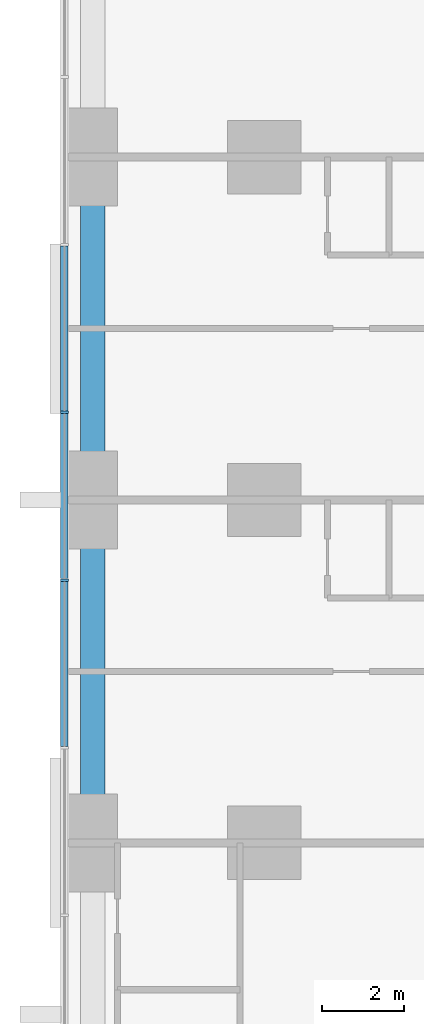
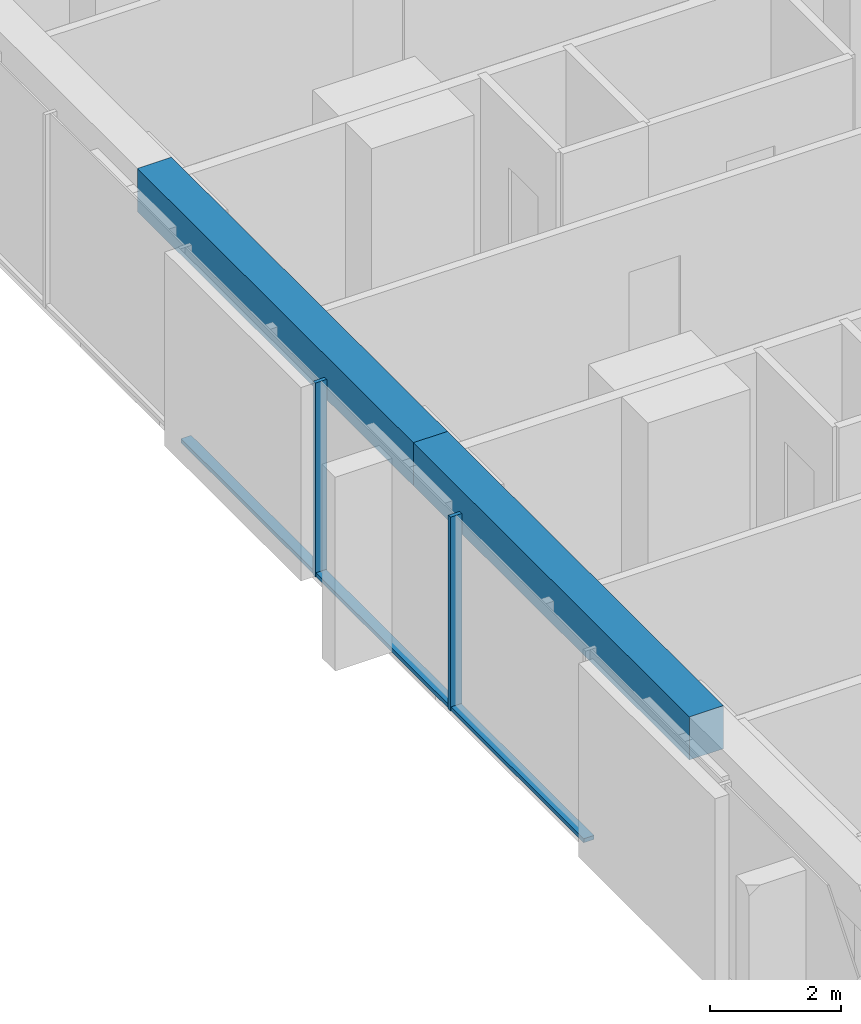
# One storey, part 3 of 17: 5 members, 2 beams, 1 element without a shape of its own.
"""IFC4 building model written with IfcOpenShell, lengths in metres."""

from ifc_helpers import new_model, si_unit, direction, frame, origin, origin_2d, place, context, subcontext, project, spatial, rectangle, extrude, material, material_profile, profile_set, type_object, element, aggregate, save


model = new_model("IFC4")

# Units and contexts
model_context = context("Model", 3, precision=1e-05, world=origin(), true_north=direction((0.0, 1.0)))
body_context = subcontext(model_context, "Body", "Model", "MODEL_VIEW")
ifc_project = project(units=[si_unit("LENGTHUNIT", "METRE"), si_unit("AREAUNIT", "SQUARE_METRE"), si_unit("VOLUMEUNIT", "CUBIC_METRE"), si_unit("PLANEANGLEUNIT", "RADIAN"), si_unit("MASSUNIT", "GRAM", prefix="KILO")], contexts=[model_context])

# Site, building, storey
site_placement = place(None, origin())
site = spatial("IfcSite", under=ifc_project, at=site_placement, CompositionType="ELEMENT")
building_placement = place(site_placement, origin())
building = spatial("IfcBuilding", under=site, at=building_placement, Name="Dunama Terrace Hotel", CompositionType="ELEMENT")
storey_placement = place(building_placement, frame((0.0, 0.0, 59.39990234375)))
storey = spatial("IfcBuildingStorey", under=building, at=storey_placement, Name="L14", CompositionType="ELEMENT", Elevation=59.39990234375)

# Curtain wall, members
ifc_material_1 = material(Name="Aluminium curtain wall system", Category="aluminium")
curtain_wall_type = type_object("IfcCurtainWallType", Name="Unitised fritted glass wall CW-A", PredefinedType="NOTDEFINED", material=ifc_material_1)
curtain_wall_placement = place(storey_placement, origin())
curtain_wall = element("IfcCurtainWall", 1, at=curtain_wall_placement, inside=storey, type_object=curtain_wall_type, Name="Unitised fritted glass wall CW-A L14", PredefinedType="NOTDEFINED")
ifc_material_2 = material(Name="Aluminium mullion", Category="aluminium")
ifc_material_profile_1 = material_profile(ifc_material_2, rectangle(XDim=0.06494140625, YDim=0.199951171875, at=origin_2d()), Name="CWA MULLION 65X200")
ifc_profile_set_1 = profile_set([ifc_material_profile_1], Name="Aluminium mullion")
member_type_1 = type_object("IfcMemberType", Name="CWA mullion 65x200", PredefinedType="MULLION", material=ifc_profile_set_1)
member_1_placement = place(storey_placement, frame((-0.10009765625, 27.345947265625, 0.0), z_axis=(0.0, 0.0, 1.0), x_axis=(0.0, -1.0, 0.0)))
member_1 = element("IfcMember", 2, at=member_1_placement, type_object=member_type_1, Name="CWA mullion", PredefinedType="MULLION", context=body_context, shape_type="SweptSolid", body=[
    extrude(rectangle(XDim=0.06494140625, YDim=0.199951171875, at=origin_2d()), origin(), (0.0, 0.0, 1.0), 3.60009765625),
])
member_2_placement = place(storey_placement, frame((-0.10009765625, 23.238037109375, 0.0), z_axis=(0.0, 0.0, 1.0), x_axis=(0.0, -1.0, 0.0)))
member_2 = element("IfcMember", 3, at=member_2_placement, type_object=member_type_1, Name="CWA mullion", PredefinedType="MULLION", context=body_context, shape_type="SweptSolid", body=[
    extrude(rectangle(XDim=0.06494140625, YDim=0.199951171875, at=origin_2d()), origin(), (0.0, 0.0, 1.0), 3.60009765625),
])
ifc_material_3 = material(Name="Aluminium transom", Category="aluminium")
ifc_material_profile_2 = material_profile(ifc_material_3, rectangle(XDim=0.179931640625, YDim=0.074951171875, at=origin_2d()), Name="CWA TRANSOM 180X75")
ifc_profile_set_2 = profile_set([ifc_material_profile_2], Name="Aluminium transom")
member_type_2 = type_object("IfcMemberType", Name="CWA transom 180x75", PredefinedType="USERDEFINED", material=ifc_profile_set_2)
member_3_placement = place(storey_placement, frame((-0.10009765625, 31.4208984375, 0.03759765625), z_axis=(0.0, -1.0, 0.0), x_axis=(1.0, 0.0, 0.0)))
member_3 = element("IfcMember", 4, at=member_3_placement, type_object=member_type_2, Name="CWA transom", ObjectType="TRANSOM", PredefinedType="USERDEFINED", context=body_context, shape_type="SweptSolid", body=[
    extrude(rectangle(XDim=0.179931640625, YDim=0.074951171875, at=origin_2d()), origin(), (0.0, 0.0, 1.0), 4.0419921875),
])
member_4_placement = place(storey_placement, frame((-0.10009765625, 27.31396484375, 0.03759765625), z_axis=(0.0, -1.0, 0.0), x_axis=(1.0, 0.0, 0.0)))
member_4 = element("IfcMember", 5, at=member_4_placement, type_object=member_type_2, Name="CWA transom", ObjectType="TRANSOM", PredefinedType="USERDEFINED", context=body_context, shape_type="SweptSolid", body=[
    extrude(rectangle(XDim=0.179931640625, YDim=0.074951171875, at=origin_2d()), origin(), (0.0, 0.0, 1.0), 4.04296875),
])
member_5_placement = place(storey_placement, frame((-0.10009765625, 23.2060546875, 0.03759765625), z_axis=(0.0, -1.0, 0.0), x_axis=(1.0, 0.0, 0.0)))
member_5 = element("IfcMember", 6, at=member_5_placement, type_object=member_type_2, Name="CWA transom", ObjectType="TRANSOM", PredefinedType="USERDEFINED", context=body_context, shape_type="SweptSolid", body=[
    extrude(rectangle(XDim=0.179931640625, YDim=0.074951171875, at=origin_2d()), origin(), (0.0, 0.0, 1.0), 4.04296875),
])
aggregate(curtain_wall, [member_1, member_2, member_3, member_4, member_5])

# Beams
ifc_material_4 = material(Name="Concrete C40/50", Category="concrete")
ifc_material_profile_3 = material_profile(ifc_material_4, rectangle(XDim=0.60009765625, YDim=0.800048828125, at=origin_2d()), Name="RC 600x800")
ifc_profile_set_3 = profile_set([ifc_material_profile_3], Name="Concrete C40/50")
beam_type = type_object("IfcBeamType", Name="Edge beam RC 600x800", PredefinedType="SPANDREL", material=ifc_profile_set_3)
beam_1_placement = place(storey_placement, frame((0.60009765625, 16.800048828125, 3.2001953125), z_axis=(0.0, 1.0, 0.0), x_axis=(-1.0, 0.0, 0.0)))
element("IfcBeam", 7, at=beam_1_placement, inside=storey, type_object=beam_type, Name="Edge beam under L15", PredefinedType="SPANDREL", context=body_context, shape_type="SweptSolid", body=[
    extrude(rectangle(XDim=0.60009765625, YDim=0.800048828125, at=origin_2d()), origin(), (0.0, 0.0, 1.0), 8.39990234375),
])
beam_2_placement = place(storey_placement, frame((0.60009765625, 25.199951171875, 3.2001953125), z_axis=(0.0, 1.0, 0.0), x_axis=(-1.0, 0.0, 0.0)))
element("IfcBeam", 8, at=beam_2_placement, inside=storey, type_object=beam_type, Name="Edge beam under L15", PredefinedType="SPANDREL", context=body_context, shape_type="SweptSolid", body=[
    extrude(rectangle(XDim=0.60009765625, YDim=0.800048828125, at=origin_2d()), origin(), (0.0, 0.0, 1.0), 8.400146484375),
])

save(model, "model.ifc")
